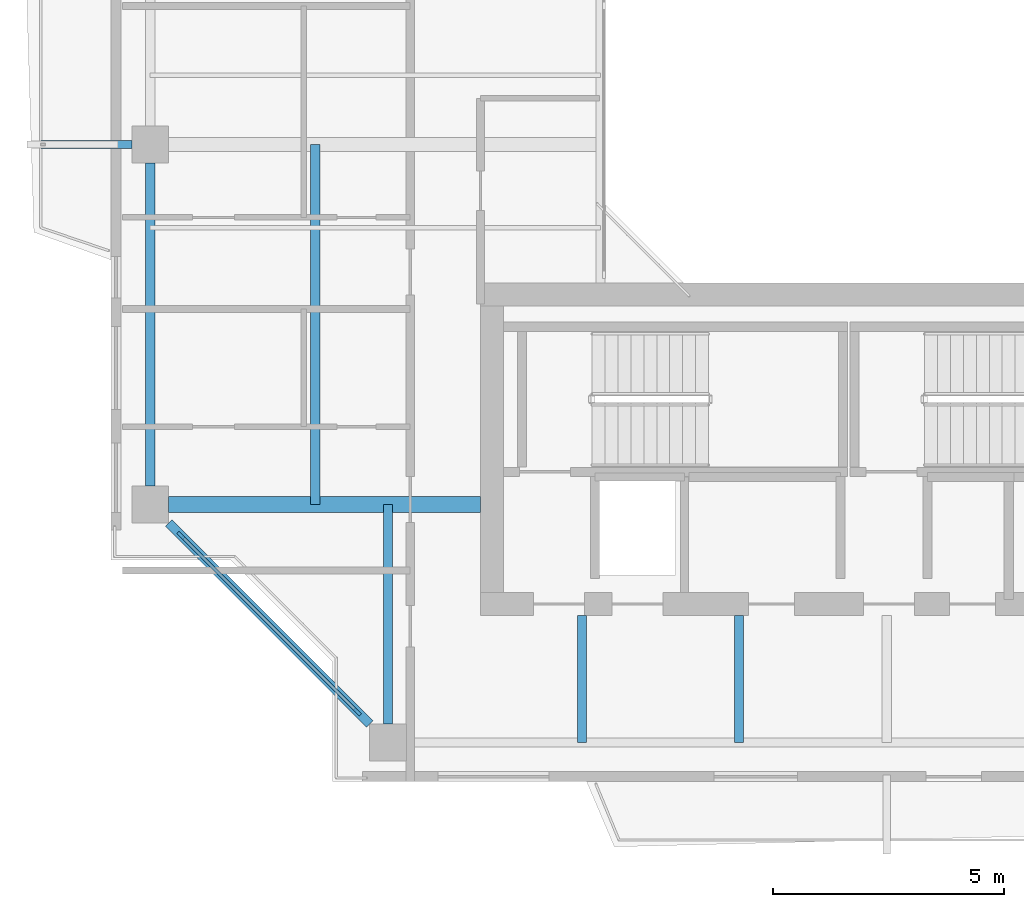
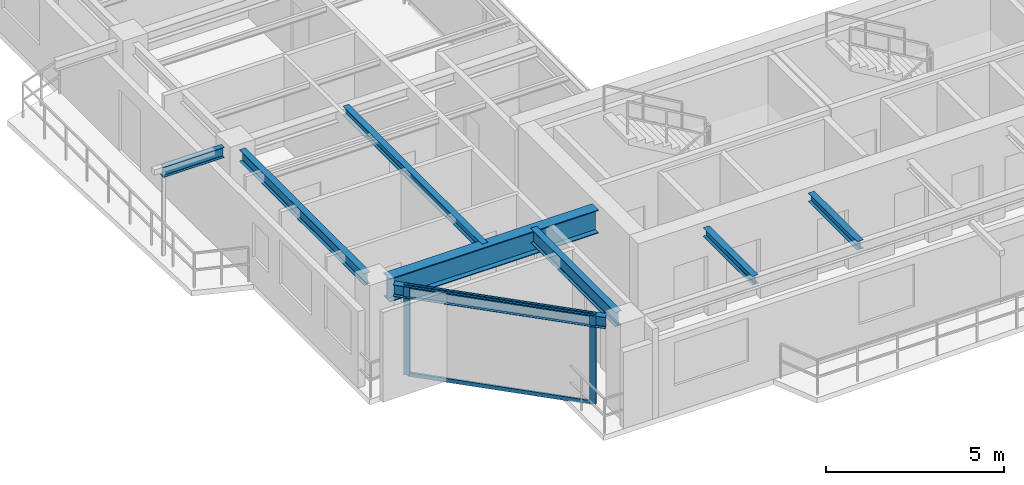
# One storey, part 2 of 15: 8 beams, 4 members, 1 element without a shape of its own.
"""IFC4 building model written with IfcOpenShell, lengths in metres."""

from ifc_helpers import new_model, si_unit, direction, frame, origin, origin_2d, place, context, subcontext, project, spatial, rectangle, i_section, extrude, source, transform, mapped, material, layer, layer_set, material_profile, profile_set, type_object, element, aggregate, save


model = new_model("IFC4")

# Units and contexts
model_context = context("Model", 3, precision=1e-05, world=origin(), true_north=direction((0.0, 1.0)))
body_context = subcontext(model_context, "Body", "Model", "MODEL_VIEW")
ifc_project = project(units=[si_unit("LENGTHUNIT", "METRE"), si_unit("AREAUNIT", "SQUARE_METRE"), si_unit("VOLUMEUNIT", "CUBIC_METRE"), si_unit("PLANEANGLEUNIT", "RADIAN"), si_unit("MASSUNIT", "GRAM", prefix="KILO"), si_unit("THERMODYNAMICTEMPERATUREUNIT", "KELVIN"), si_unit("POWERUNIT", "WATT")], contexts=[model_context])

# Site, building, storey
site_placement = place(None, origin())
site = spatial("IfcSite", under=ifc_project, at=site_placement, CompositionType="ELEMENT")
building_placement = place(site_placement, origin())
building = spatial("IfcBuilding", under=site, at=building_placement, Name="Qiaomeng Ring Towers", CompositionType="ELEMENT")
storey_placement = place(building_placement, frame((0.0, 0.0, 213.25)))
storey = spatial("IfcBuildingStorey", under=building, at=storey_placement, Name="L62", CompositionType="ELEMENT", Elevation=213.25)

# Beams
ifc_material_1 = material(Name="Steel Q355B", Category="steel")
ifc_material_profile_1 = material_profile(ifc_material_1, i_section(OverallWidth=0.198974609375, OverallDepth=0.39599609375, WebThickness=0.007080078125, FlangeThickness=0.010986328125, FilletRadius=0.01611328125, at=origin_2d()), Name="HN 396x199x7x11")
ifc_profile_set_1 = profile_set([ifc_material_profile_1], Name="Steel Q355B")
beam_type_1 = type_object("IfcBeamType", Name="STR-BM-HN396", PredefinedType="SPANDREL", material=ifc_profile_set_1)
shared_shape_1 = source(origin(), body_context, "Body", "SweptSolid", [
    extrude(i_section(OverallWidth=0.198974609375, OverallDepth=0.39599609375, WebThickness=0.007080078125, FlangeThickness=0.010986328125, FilletRadius=0.01611328125, at=origin_2d()), origin(), (0.0, 0.0, 1.0), 6.154052734375),
])
beam_1_placement = place(storey_placement, frame((3.44921875, 11.80078125, 2.8720703125), z_axis=(0.707106781187, -0.707106781187, 0.0), x_axis=(0.707106781187, 0.707106781187, 0.0)))
element("IfcBeam", 1, at=beam_1_placement, inside=storey, type_object=beam_type_1, Name="L62 beam STR-SP-L62-T1-W1-S1", PredefinedType="SPANDREL", context=body_context, shape_type="MappedRepresentation", body=[
    mapped(shared_shape_1, transform((0.0, 0.0, 0.0), x_axis=(1.0, 0.0, 0.0), y_axis=(0.0, 1.0, 0.0), z_axis=(0.0, 0.0, 1.0), scale=1.0)),
])
shared_shape_2 = source(origin(), body_context, "Body", "SweptSolid", [
    extrude(i_section(OverallWidth=0.198974609375, OverallDepth=0.39599609375, WebThickness=0.007080078125, FlangeThickness=0.010986328125, FilletRadius=0.01611328125, at=origin_2d()), origin(), (0.0, 0.0, 1.0), 7.001953125),
])
beam_2_placement = place(storey_placement, frame((3.050048828125, 19.60107421875, 2.8720703125), z_axis=(0.0, -1.0, 0.0), x_axis=(1.0, 0.0, 0.0)))
element("IfcBeam", 2, at=beam_2_placement, inside=storey, type_object=beam_type_1, Name="L62 beam STR-SP-L62-T1-W2-W1", PredefinedType="SPANDREL", context=body_context, shape_type="MappedRepresentation", body=[
    mapped(shared_shape_2, transform((0.0, 0.0, 0.0), x_axis=(1.0, 0.0, 0.0), y_axis=(0.0, 1.0, 0.0), z_axis=(0.0, 0.0, 1.0), scale=1.0)),
])
ifc_material_2 = material(Name="Steel Q390GJC", Category="steel")
ifc_material_profile_2 = material_profile(ifc_material_2, i_section(OverallWidth=0.35009765625, OverallDepth=0.800048828125, WebThickness=0.01611328125, FlangeThickness=0.028076171875, at=origin_2d()), Name="WH 800x350x16x28")
ifc_profile_set_2 = profile_set([ifc_material_profile_2], Name="Steel Q390GJC")
beam_type_2 = type_object("IfcBeamType", Name="STR-BM-WH800", PredefinedType="BEAM", material=ifc_profile_set_2)
shared_shape_3 = source(origin(), body_context, "Body", "SweptSolid", [
    extrude(i_section(OverallWidth=0.35009765625, OverallDepth=0.800048828125, WebThickness=0.01611328125, FlangeThickness=0.028076171875, at=origin_2d()), origin(), (0.0, 0.0, 1.0), 6.7509765625),
])
beam_3_placement = place(storey_placement, frame((3.448974609375, 12.199951171875, 2.669921875), z_axis=(1.0, 0.0, 0.0), x_axis=(0.0, 1.0, 0.0)))
element("IfcBeam", 3, at=beam_3_placement, inside=storey, type_object=beam_type_2, Name="L62 beam STR-BM-L62-T1-RAD-W1", PredefinedType="BEAM", context=body_context, shape_type="MappedRepresentation", body=[
    mapped(shared_shape_3, transform((0.0, 0.0, 0.0), x_axis=(1.0, 0.0, 0.0), y_axis=(0.0, 1.0, 0.0), z_axis=(0.0, 0.0, 1.0), scale=1.0)),
])
ifc_material_profile_3 = material_profile(ifc_material_1, i_section(OverallWidth=0.175048828125, OverallDepth=0.35009765625, WebThickness=0.007080078125, FlangeThickness=0.010986328125, FilletRadius=0.013916015625, at=origin_2d()), Name="HN 350x175x7x11")
ifc_profile_set_3 = profile_set([ifc_material_profile_3], Name="Steel Q355B")
beam_type_3 = type_object("IfcBeamType", Name="STR-BM-HN350", PredefinedType="JOIST", material=ifc_profile_set_3)
shared_shape_4 = source(origin(), body_context, "Body", "SweptSolid", [
    extrude(i_section(OverallWidth=0.175048828125, OverallDepth=0.35009765625, WebThickness=0.007080078125, FlangeThickness=0.010986328125, FilletRadius=0.013916015625, at=origin_2d()), origin(), (0.0, 0.0, 1.0), 1.970947265625),
])
beam_4_placement = place(storey_placement, frame((0.679931640625, 20.0, 2.89501953125), z_axis=(1.0, 0.0, 0.0), x_axis=(0.0, 1.0, 0.0)))
element("IfcBeam", 4, at=beam_4_placement, inside=storey, type_object=beam_type_3, Name="L62 beam STR-BALBM-L62-W2", PredefinedType="JOIST", context=body_context, shape_type="MappedRepresentation", body=[
    mapped(shared_shape_4, transform((0.0, 0.0, 0.0), x_axis=(1.0, 0.0, 0.0), y_axis=(0.0, 1.0, 0.0), z_axis=(0.0, 0.0, 1.0), scale=1.0)),
])
ifc_material_profile_4 = material_profile(ifc_material_1, i_section(OverallWidth=0.199951171875, OverallDepth=0.2939453125, WebThickness=0.008056640625, FlangeThickness=0.011962890625, FilletRadius=0.01806640625, at=origin_2d()), Name="HM 294x200x8x12")
ifc_profile_set_4 = profile_set([ifc_material_profile_4], Name="Steel Q355B")
beam_type_4 = type_object("IfcBeamType", Name="STR-BM-HM294", PredefinedType="JOIST", material=ifc_profile_set_4)
shared_shape_5 = source(origin(), body_context, "Body", "SweptSolid", [
    extrude(i_section(OverallWidth=0.199951171875, OverallDepth=0.2939453125, WebThickness=0.008056640625, FlangeThickness=0.011962890625, FilletRadius=0.01806640625, at=origin_2d()), origin(), (0.0, 0.0, 1.0), 2.75),
])
for number, where, z_axis, x_axis, name in (
    (5, (12.39990234375, 7.050048828125, 2.923095703125), (0.0, 1.0, 0.0), (-1.0, 0.0, 0.0), "L62 beam STR-JST-L62-T1S-1"),
    (6, (15.800048828125, 7.050048828125, 2.923095703125), (0.0, 1.0, 0.0), (-1.0, 0.0, 0.0), "L62 beam STR-JST-L62-T1S-2"),
):
    element("IfcBeam", number, at=place(storey_placement, frame(where, z_axis=z_axis, x_axis=x_axis)), inside=storey, type_object=beam_type_4, Name=name, PredefinedType="JOIST", context=body_context, shape_type="MappedRepresentation", body=[
        mapped(shared_shape_5, transform((0.0, 0.0, 0.0), x_axis=(1.0, 0.0, 0.0), y_axis=(0.0, 1.0, 0.0), z_axis=(0.0, 0.0, 1.0), scale=1.0)),
    ])
shared_shape_6 = source(origin(), body_context, "Body", "SweptSolid", [
    extrude(i_section(OverallWidth=0.199951171875, OverallDepth=0.2939453125, WebThickness=0.008056640625, FlangeThickness=0.011962890625, FilletRadius=0.01806640625, at=origin_2d()), origin(), (0.0, 0.0, 1.0), 7.800048828125),
])
beam_5_placement = place(storey_placement, frame((6.625, 12.199951171875, 2.923095703125), z_axis=(0.0, 1.0, 0.0), x_axis=(-1.0, 0.0, 0.0)))
element("IfcBeam", 7, at=beam_5_placement, inside=storey, type_object=beam_type_4, Name="L62 beam STR-JST-L62-T1C-WS", PredefinedType="JOIST", context=body_context, shape_type="MappedRepresentation", body=[
    mapped(shared_shape_6, transform((0.0, 0.0, 0.0), x_axis=(1.0, 0.0, 0.0), y_axis=(0.0, 1.0, 0.0), z_axis=(0.0, 0.0, 1.0), scale=1.0)),
])
ifc_material_profile_5 = material_profile(ifc_material_1, i_section(OverallWidth=0.198974609375, OverallDepth=0.49609375, WebThickness=0.009033203125, FlangeThickness=0.013916015625, FilletRadius=0.01806640625, at=origin_2d()), Name="HN 496x199x9x14")
ifc_profile_set_5 = profile_set([ifc_material_profile_5], Name="Steel Q355B")
beam_type_5 = type_object("IfcBeamType", Name="STR-BM-HN496", PredefinedType="BEAM", material=ifc_profile_set_5)
shared_shape_7 = source(origin(), body_context, "Body", "SweptSolid", [
    extrude(i_section(OverallWidth=0.198974609375, OverallDepth=0.49609375, WebThickness=0.009033203125, FlangeThickness=0.013916015625, FilletRadius=0.01806640625, at=origin_2d()), origin(), (0.0, 0.0, 1.0), 4.7509765625),
])
beam_6_placement = place(storey_placement, frame((8.199951171875, 7.448974609375, 2.822021484375), z_axis=(0.0, 1.0, 0.0), x_axis=(-1.0, 0.0, 0.0)))
element("IfcBeam", 8, at=beam_6_placement, inside=storey, type_object=beam_type_5, Name="L62 beam STR-BM-L62-T1-RAD-S1", PredefinedType="BEAM", context=body_context, shape_type="MappedRepresentation", body=[
    mapped(shared_shape_7, transform((0.0, 0.0, 0.0), x_axis=(1.0, 0.0, 0.0), y_axis=(0.0, 1.0, 0.0), z_axis=(0.0, 0.0, 1.0), scale=1.0)),
])

# Curtain wall, members
ifc_material_3 = material(Name="Fluorocarbon dark-grey aluminium", Category="aluminium")
ifc_layer = layer(ifc_material_3, 0.14990234375, Name="Fluorocarbon dark-grey aluminium")
ifc_layer_set = layer_set([ifc_layer], Name="Fluorocarbon dark-grey aluminium")
curtain_wall_type = type_object("IfcCurtainWallType", Name="ARC-CW-3", PredefinedType="NOTDEFINED", material=ifc_layer_set)
curtain_wall_placement = place(storey_placement, origin())
curtain_wall = element("IfcCurtainWall", 9, at=curtain_wall_placement, inside=storey, type_object=curtain_wall_type, Name="L62 Curtain Wall CW3", PredefinedType="NOTDEFINED")
ifc_material_profile_6 = material_profile(ifc_material_3, rectangle(XDim=0.070068359375, YDim=0.179931640625, at=origin_2d()), Name="ALU MULL 70x180")
ifc_profile_set_6 = profile_set([ifc_material_profile_6], Name="Fluorocarbon dark-grey aluminium")
member_type_1 = type_object("IfcMemberType", Name="ARC-CWM-160", PredefinedType="MULLION", material=ifc_profile_set_6)
shared_shape_8 = source(origin(), body_context, "Body", "SweptSolid", [
    extrude(rectangle(XDim=0.070068359375, YDim=0.179931640625, at=origin_2d()), origin(), (0.0, 0.0, 1.0), 3.070068359375),
])
member_1_placement = place(storey_placement, frame((3.71484375, 11.53515625, 0.0), z_axis=(0.0, 0.0, 1.0), x_axis=(0.707106781187, 0.707106781187, 0.0)))
member_1 = element("IfcMember", 10, at=member_1_placement, type_object=member_type_1, Name="CW3 mullion 1", PredefinedType="MULLION", context=body_context, shape_type="MappedRepresentation", body=[
    mapped(shared_shape_8, transform((0.0, 0.0, 0.0), x_axis=(1.0, 0.0, 0.0), y_axis=(0.0, 1.0, 0.0), z_axis=(0.0, 0.0, 1.0), scale=1.0)),
])
member_2_placement = place(storey_placement, frame((7.53515625, 7.71484375, 0.0), z_axis=(0.0, 0.0, 1.0), x_axis=(0.707106781187, 0.707106781187, 0.0)))
member_2 = element("IfcMember", 11, at=member_2_placement, type_object=member_type_1, Name="CW3 mullion 2", PredefinedType="MULLION", context=body_context, shape_type="MappedRepresentation", body=[
    mapped(shared_shape_8, transform((0.0, 0.0, 0.0), x_axis=(1.0, 0.0, 0.0), y_axis=(0.0, 1.0, 0.0), z_axis=(0.0, 0.0, 1.0), scale=1.0)),
])
ifc_material_profile_7 = material_profile(ifc_material_3, rectangle(XDim=0.06494140625, YDim=0.1298828125, at=origin_2d()), Name="ALU TRAN 65x130")
ifc_profile_set_7 = profile_set([ifc_material_profile_7], Name="Fluorocarbon dark-grey aluminium")
member_type_2 = type_object("IfcMemberType", Name="ARC-CWT-120", PredefinedType="USERDEFINED", material=ifc_profile_set_7)
shared_shape_9 = source(origin(), body_context, "Body", "SweptSolid", [
    extrude(rectangle(XDim=0.06494140625, YDim=0.1298828125, at=origin_2d()), origin(), (0.0, 0.0, 1.0), 5.3330078125),
])
member_3_placement = place(storey_placement, frame((3.739501953125, 11.510498046875, 0.032470703125), z_axis=(0.707106781187, -0.707106781187, 0.0), x_axis=(0.707106781187, 0.707106781187, 0.0)))
member_3 = element("IfcMember", 12, at=member_3_placement, type_object=member_type_2, Name="CW3 transom 1.1", ObjectType="TRANSOM", PredefinedType="USERDEFINED", context=body_context, shape_type="MappedRepresentation", body=[
    mapped(shared_shape_9, transform((0.0, 0.0, 0.0), x_axis=(1.0, 0.0, 0.0), y_axis=(0.0, 1.0, 0.0), z_axis=(0.0, 0.0, 1.0), scale=1.0)),
])
member_4_placement = place(storey_placement, frame((3.739501953125, 11.510498046875, 3.03759765625), z_axis=(0.707106781187, -0.707106781187, 0.0), x_axis=(0.707106781187, 0.707106781187, 0.0)))
member_4 = element("IfcMember", 13, at=member_4_placement, type_object=member_type_2, Name="CW3 transom 1.2", ObjectType="TRANSOM", PredefinedType="USERDEFINED", context=body_context, shape_type="MappedRepresentation", body=[
    mapped(shared_shape_9, transform((0.0, 0.0, 0.0), x_axis=(1.0, 0.0, 0.0), y_axis=(0.0, 1.0, 0.0), z_axis=(0.0, 0.0, 1.0), scale=1.0)),
])
aggregate(curtain_wall, [member_1, member_2, member_3, member_4])

save(model, "model.ifc")
